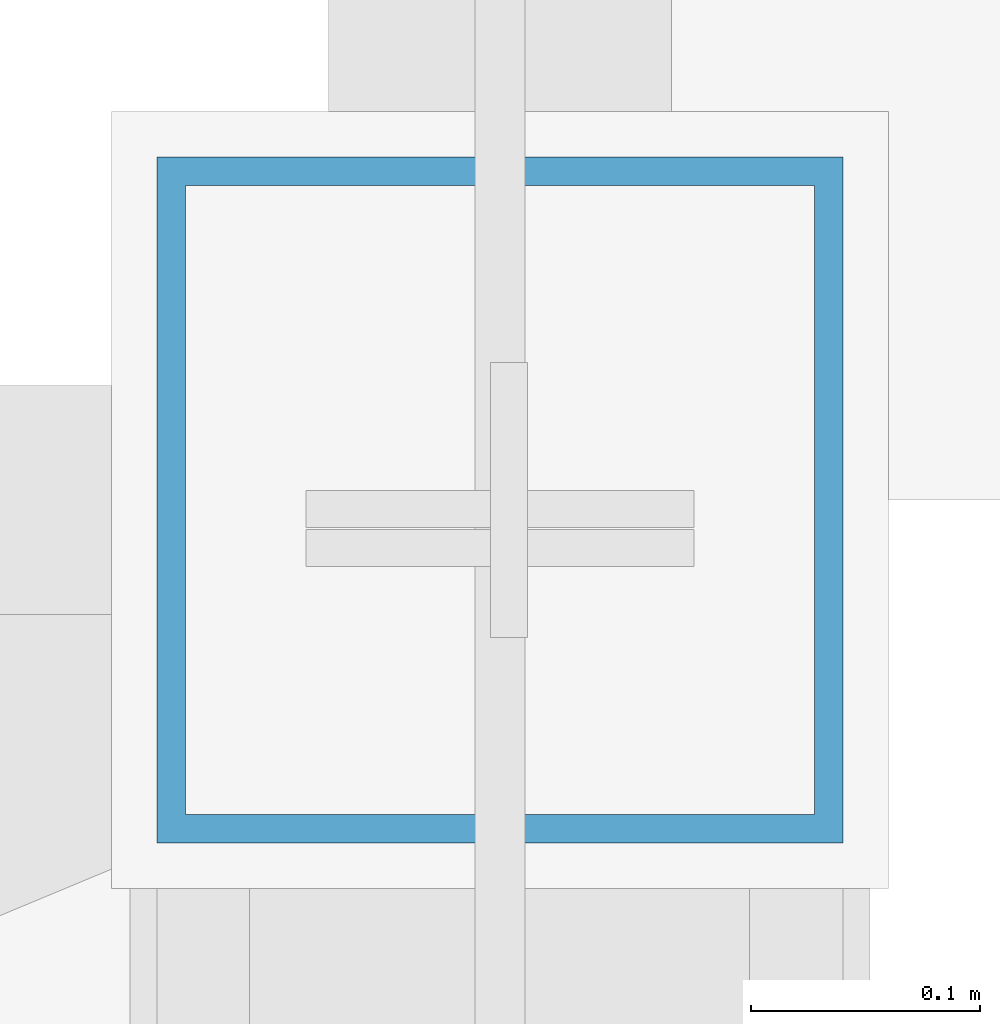
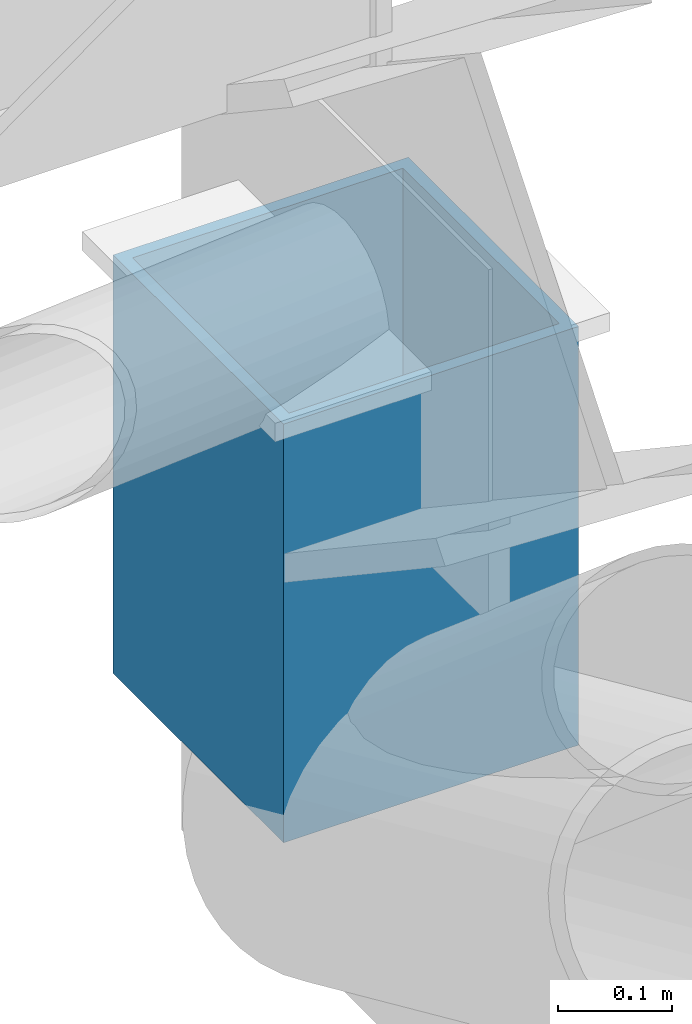
# One storey, part 6 of 63: 1 column.
"""IFC4 building model written with IfcOpenShell, lengths in metres."""

from ifc_helpers import new_model, si_unit, direction, frame, origin, origin_2d, place, context, subcontext, project, spatial, hollow_rectangle, extrude, material, material_profile, profile_set, type_object, element, save


model = new_model("IFC4")

# Units and contexts
model_context = context("Model", 3, precision=1e-05, world=origin(), true_north=direction((0.0, 1.0)))
body_context = subcontext(model_context, "Body", "Model", "MODEL_VIEW")
ifc_project = project(units=[si_unit("LENGTHUNIT", "METRE"), si_unit("AREAUNIT", "SQUARE_METRE"), si_unit("VOLUMEUNIT", "CUBIC_METRE"), si_unit("PLANEANGLEUNIT", "RADIAN"), si_unit("MASSUNIT", "GRAM", prefix="KILO")], contexts=[model_context])

# Site, building, storey
site_placement = place(None, origin())
site = spatial("IfcSite", under=ifc_project, at=site_placement, CompositionType="ELEMENT")
building_placement = place(site_placement, origin())
building = spatial("IfcBuilding", under=site, at=building_placement, Name="Solvadek Multi-Sports Hall", CompositionType="ELEMENT")
storey_placement = place(building_placement, frame((0.0, 0.0, 19.199951171875)))
storey = spatial("IfcBuildingStorey", under=building, at=storey_placement, Name="RF", CompositionType="ELEMENT", Elevation=19.199951171875)

# Column
ifc_material = material(Name="Steel E350 (350 MPa)", Category="steel")
ifc_material_profile = material_profile(ifc_material, hollow_rectangle(XDim=0.300048828125, YDim=0.300048828125, WallThickness=0.012451171875, at=origin_2d()), Name="SHS 300x300x12.5")
ifc_profile_set = profile_set([ifc_material_profile], Name="Steel E350 (350 MPa)")
column_type = type_object("IfcColumnType", Name="STR-COL-SHS300", PredefinedType="COLUMN", material=ifc_profile_set)
column_placement = place(storey_placement, frame((136.800048828125, 42.0, -4.0), z_axis=(0.0, 0.0, 1.0), x_axis=(1.0, 0.0, 0.0)))
element("IfcColumn", 1, at=column_placement, inside=storey, type_object=column_type, Name="v1 Truss 8 Bearing Post", PredefinedType="COLUMN", context=body_context, shape_type="SweptSolid", body=[
    extrude(hollow_rectangle(XDim=0.300048828125, YDim=0.300048828125, WallThickness=0.012451171875, at=origin_2d()), origin(), (0.0, 0.0, 1.0), 0.449951171875),
])

save(model, "model.ifc")
